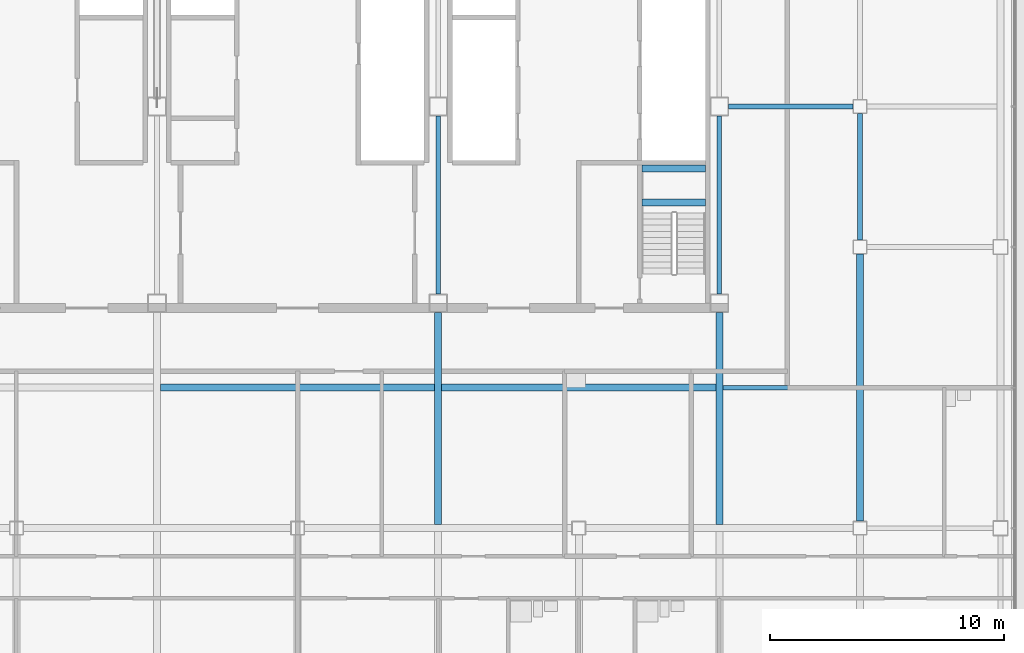
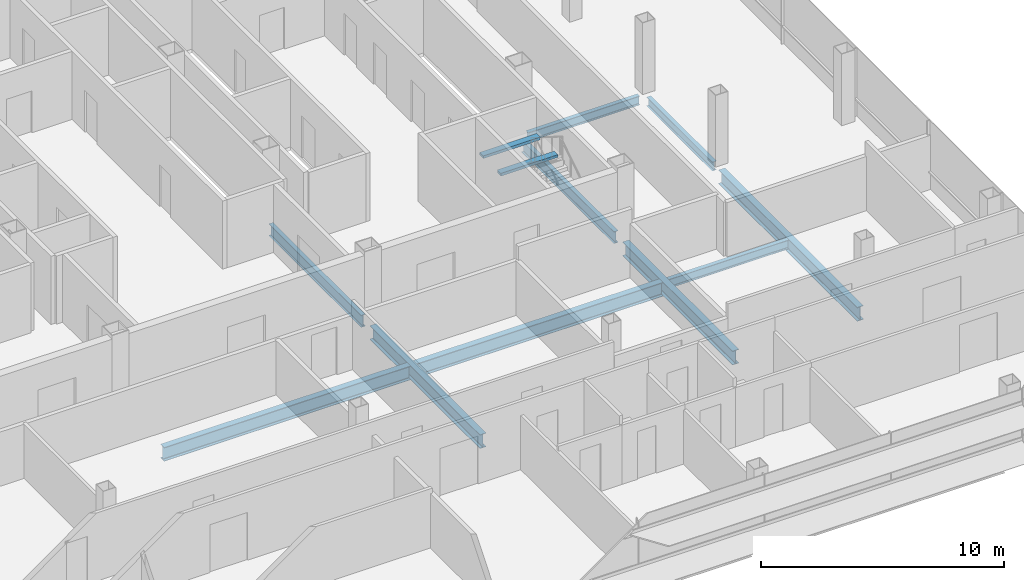
# One storey, part 10 of 27: 12 beams.
"""IFC4 building model written with IfcOpenShell, lengths in metres."""

import ifcopenshell
import ifcopenshell.guid

model = None  # the IFC model being written
_history = None  # IfcOwnerHistory: only IFC2X3 demands one
_inside = {}  # id of a spatial element -> (the spatial element, [elements in it])
_under = {}  # id of a project, library or spatial element -> (it, [spatial elements below it])
_declared = {}  # id of a project -> (the project, [libraries it declares])
_typed = {}  # id of a type object -> (the type object, [elements of that type])
_made_of = {}  # id of a material, layer set ... -> (it, [elements and type objects made of it])


def new_model(schema):
    """Start an empty IFC model of exactly this schema.

    Asked for "IFC4X3", IfcOpenShell would pick the latest addendum, in which some entities
    have other attributes; the version numbers below select the first issue.
    IFC2X3 requires an IfcOwnerHistory on every rooted entity: one is made here for all.
    """
    global model, _history
    if schema == "IFC4X3":
        model = ifcopenshell.file(schema_version=(4, 3, 0, 0))
    else:
        model = ifcopenshell.file(schema=schema)
    _inside.clear()
    _under.clear()
    _declared.clear()
    _typed.clear()
    _made_of.clear()
    _history = None
    if model.schema == "IFC2X3":
        org = make("IfcOrganization", Name="unknown")
        user = make(
            "IfcPersonAndOrganization",
            ThePerson=make("IfcPerson", FamilyName="unknown"),
            TheOrganization=org,
        )
        app = make(
            "IfcApplication",
            ApplicationDeveloper=org,
            Version="unknown",
            ApplicationFullName="unknown",
            ApplicationIdentifier="unknown",
        )
        _history = make(
            "IfcOwnerHistory",
            OwningUser=user,
            OwningApplication=app,
            ChangeAction="ADDED",
            CreationDate=0,
        )
    return model


def make(cls, **values):
    """One entity of the class cls with the attributes given. An attribute that is None is left unset."""
    return model.create_entity(
        cls, **{name: value for name, value in values.items() if value is not None}
    )


def rooted(cls, **values):
    """An entity with a GlobalId (a new one), such as an element, a storey or a relation."""
    return make(cls, GlobalId=ifcopenshell.guid.new(), OwnerHistory=_history, **values)


def si_unit(unit_type, name, prefix=None):
    """IfcSIUnit, for example si_unit("LENGTHUNIT", "METRE", prefix="MILLI")."""
    return make("IfcSIUnit", UnitType=unit_type, Prefix=prefix, Name=name)


def assignment(units):
    """IfcUnitAssignment: the units of a project."""
    return None if units is None else make("IfcUnitAssignment", Units=units)


def point(xyz):
    """IfcCartesianPoint."""
    return None if xyz is None else make("IfcCartesianPoint", Coordinates=xyz)


def direction(xyz):
    """IfcDirection."""
    return None if xyz is None else make("IfcDirection", DirectionRatios=xyz)


def frame(location, z_axis=None, x_axis=None):
    """IfcAxis2Placement3D, a coordinate frame: its origin and axes. An axis left out is left unset."""
    return make(
        "IfcAxis2Placement3D",
        Location=point(location),
        Axis=direction(z_axis),
        RefDirection=direction(x_axis),
    )


def frame_2d(location, x_axis=None):
    """IfcAxis2Placement2D, a coordinate frame in the plane: its origin and x axis."""
    return make(
        "IfcAxis2Placement2D", Location=point(location), RefDirection=direction(x_axis)
    )


def origin():
    """The frame at (0, 0, 0) with its axes left unset."""
    return frame((0.0, 0.0, 0.0))


def origin_2d():
    """The frame at (0, 0) in the plane with its x axis left unset."""
    return frame_2d((0.0, 0.0))


def place(relative_to, where):
    """IfcLocalPlacement: puts the frame where relative to a parent placement (None: the world)."""
    return make(
        "IfcLocalPlacement", PlacementRelTo=relative_to, RelativePlacement=where
    )


def context(
    kind, dimensions, precision=None, world=None, true_north=None, identifier=None
):
    """IfcGeometricRepresentationContext, for example the 3D "Model" context."""
    return make(
        "IfcGeometricRepresentationContext",
        ContextIdentifier=identifier,
        ContextType=kind,
        CoordinateSpaceDimension=dimensions,
        Precision=precision,
        WorldCoordinateSystem=world,
        TrueNorth=true_north,
    )


def subcontext(parent, identifier, kind, view, scale=None):
    """IfcGeometricRepresentationSubContext, for example "Body" below "Model"."""
    return make(
        "IfcGeometricRepresentationSubContext",
        ContextIdentifier=identifier,
        ContextType=kind,
        ParentContext=parent,
        TargetScale=scale,
        TargetView=view,
    )


def project(units=None, contexts=None):
    """IfcProject with its units and contexts."""
    return rooted(
        "IfcProject",
        Name="project",
        RepresentationContexts=contexts,
        UnitsInContext=assignment(units),
    )


def spatial(cls, under=None, at=None, **own):
    """A site, building, storey or space (cls), placed at a placement, below another one or the project."""
    s = rooted(cls, ObjectPlacement=at, **own)
    if under is not None:
        _under.setdefault(under.id(), (under, []))[1].append(s)
    return s


def profile(cls, at=None, kind="AREA", **sizes):
    """A parametric profile (cls). Its sizes go by their IFC names, for example OverallWidth=200.0."""
    return make(cls, ProfileType=kind, Position=at, **sizes)


def rectangle(**sizes):
    """IfcRectangleProfileDef."""
    return profile("IfcRectangleProfileDef", **sizes)


def i_section(**sizes):
    """IfcIShapeProfileDef."""
    return profile("IfcIShapeProfileDef", **sizes)


def extrude(swept, where, along, depth):
    """IfcExtrudedAreaSolid: the profile swept, set in the frame where, extruded along a direction by depth."""
    return make(
        "IfcExtrudedAreaSolid",
        SweptArea=swept,
        Position=where,
        ExtrudedDirection=direction(along),
        Depth=depth,
    )


def shape(context_of_items, identifier, shape_type, items):
    """IfcShapeRepresentation: the items that make up one representation, for example the "Body"."""
    return make(
        "IfcShapeRepresentation",
        ContextOfItems=context_of_items,
        RepresentationIdentifier=identifier,
        RepresentationType=shape_type,
        Items=items,
    )


def material(Name=None, Category=None):
    """IfcMaterial."""
    return make("IfcMaterial", Name=Name, Category=Category)


def material_profile(
    of_material, cross_section, Name=None, Category=None, Priority=None
):
    """IfcMaterialProfile: a cross section and its material."""
    return make(
        "IfcMaterialProfile",
        Name=Name,
        Material=of_material,
        Profile=cross_section,
        Priority=Priority,
        Category=Category,
    )


def profile_set(profiles, Name=None, composite=None):
    """IfcMaterialProfileSet."""
    return make(
        "IfcMaterialProfileSet",
        Name=Name,
        MaterialProfiles=profiles,
        CompositeProfile=composite,
    )


def made_of(thing, what):
    """Note that an element or type object is made of a material, layer set ...; save() writes the relation."""
    if what is not None:
        _made_of.setdefault(what.id(), (what, []))[1].append(thing)
    return thing


def type_object(cls, material=None, **own):
    """A type object (cls), such as IfcWallType, which elements share."""
    return made_of(rooted(cls, **own), material)


def element(
    cls,
    number,
    at=None,
    inside=None,
    cuts=None,
    type_object=None,
    material=None,
    context=None,
    identifier="Body",
    shape_type=None,
    held_by="IfcProductDefinitionShape",
    body=None,
    shapes=None,
    **own,
):
    """One element of the class cls, such as IfcWall. Its Tag is "e" and its number.

    at: its placement. inside: the storey or other place that contains it. cuts: it is an
    opening in that element (IfcRelVoidsElement). A single representation is given by context,
    identifier, shape_type and body (its items); several are given by shapes. held_by: the class
    of the entity that holds the representations. save() writes the other relations.
    """
    e = rooted(cls, Tag="e%d" % number, ObjectPlacement=at, **own)
    if body is not None:
        shapes = [shape(context, identifier, shape_type, body)]
    if shapes is not None:
        e.Representation = make(held_by, Representations=shapes)
    if inside is not None:
        _inside.setdefault(inside.id(), (inside, []))[1].append(e)
    if cuts is not None:
        rooted(
            "IfcRelVoidsElement", RelatingBuildingElement=cuts, RelatedOpeningElement=e
        )
    if type_object is not None:
        _typed.setdefault(type_object.id(), (type_object, []))[1].append(e)
    return made_of(e, material)


def aggregate(whole, parts):
    """IfcRelAggregates: a whole, such as a stair, and the parts it consists of."""
    return rooted("IfcRelAggregates", RelatingObject=whole, RelatedObjects=parts)


def save(model, path):
    """Write the relations noted so far, then the file.

    IfcRelAggregates (storeys below a building ...), IfcRelContainedInSpatialStructure (elements
    in a storey), IfcRelDefinesByType, IfcRelAssociatesMaterial and IfcRelDeclares: one each for
    every whole, place, type object, material and project.
    """
    for whole, parts in _under.values():
        aggregate(whole, parts)
    for where, things in _inside.values():
        rooted(
            "IfcRelContainedInSpatialStructure",
            RelatedElements=things,
            RelatingStructure=where,
        )
    for kind, things in _typed.values():
        rooted("IfcRelDefinesByType", RelatedObjects=things, RelatingType=kind)
    for what, things in _made_of.values():
        rooted("IfcRelAssociatesMaterial", RelatedObjects=things, RelatingMaterial=what)
    for by, libraries in _declared.values():
        rooted("IfcRelDeclares", RelatingContext=by, RelatedDefinitions=libraries)
    model.write(path)


model = new_model("IFC4")

# Units and contexts
model_context = context("Model", 3, precision=1e-05, world=origin(), true_north=direction((0.0, 1.0)))
body_context = subcontext(model_context, "Body", "Model", "MODEL_VIEW")
ifc_project = project(units=[si_unit("LENGTHUNIT", "METRE"), si_unit("AREAUNIT", "SQUARE_METRE"), si_unit("VOLUMEUNIT", "CUBIC_METRE"), si_unit("PLANEANGLEUNIT", "RADIAN"), si_unit("MASSUNIT", "GRAM", prefix="KILO")], contexts=[model_context])

# Site, building, storey
site_placement = place(None, origin())
site = spatial("IfcSite", under=ifc_project, at=site_placement, CompositionType="ELEMENT")
building_placement = place(site_placement, origin())
building = spatial("IfcBuilding", under=site, at=building_placement, Name="Sorahane Residences", CompositionType="ELEMENT")
storey_placement = place(building_placement, frame((0.0, 0.0, 239.60009765625)))
storey = spatial("IfcBuildingStorey", under=building, at=storey_placement, Name="L56", CompositionType="ELEMENT", Elevation=239.60009765625)

# Beams
ifc_material_1 = material(Name="Concrete C40", Category="concrete")
ifc_material_profile_1 = material_profile(ifc_material_1, rectangle(XDim=0.300048828125, YDim=0.139892578125, at=origin_2d()), Name="300x140")
ifc_profile_set_1 = profile_set([ifc_material_profile_1], Name="Concrete C40")
beam_type_1 = type_object("IfcBeamType", Name="RC landing beam 300 x 140 Concrete C40", PredefinedType="BEAM", material=ifc_profile_set_1)
for number, where, z_axis, x_axis, name in (
    (1, (38.699951171875, 25.89990234375, 1.52978515625), (1.0, 0.0, 0.0), (0.0, 1.0, 0.0), "Landing beam"),
    (2, (38.699951171875, 27.35009765625, 1.52978515625), (1.0, 0.0, 0.0), (0.0, 1.0, 0.0), "Landing beam"),
):
    element("IfcBeam", number, at=place(storey_placement, frame(where, z_axis=z_axis, x_axis=x_axis)), inside=storey, type_object=beam_type_1, Name=name, PredefinedType="BEAM", context=body_context, shape_type="SweptSolid", body=[
        extrude(rectangle(XDim=0.300048828125, YDim=0.139892578125, at=origin_2d()), origin(), (0.0, 0.0, 1.0), 2.699951171875),
    ])
ifc_material_2 = material(Name="Steel Q355B", Category="steel")
ifc_material_profile_2 = material_profile(ifc_material_2, i_section(OverallWidth=0.199951171875, OverallDepth=0.449951171875, WebThickness=0.009033203125, FlangeThickness=0.013916015625, FilletRadius=0.02001953125, at=origin_2d()), Name="HN 450x200x9x14")
ifc_profile_set_2 = profile_set([ifc_material_profile_2], Name="Steel Q355B")
beam_type_2 = type_object("IfcBeamType", Name="Steel floor beam HN 450x200x9x14 Q355B", PredefinedType="BEAM", material=ifc_profile_set_2)
beam_1_placement = place(storey_placement, frame((48.0, 24.300048828125, -0.405029296875), z_axis=(0.0, 1.0, 0.0), x_axis=(-1.0, 0.0, 0.0)))
element("IfcBeam", 3, at=beam_1_placement, inside=storey, type_object=beam_type_2, Name="Beam L56 060", PredefinedType="BEAM", context=body_context, shape_type="SweptSolid", body=[
    extrude(i_section(OverallWidth=0.199951171875, OverallDepth=0.449951171875, WebThickness=0.009033203125, FlangeThickness=0.013916015625, FilletRadius=0.02001953125, at=origin_2d()), origin(), (0.0, 0.0, 1.0), 5.39990234375),
])
beam_2_placement = place(storey_placement, frame((42.14990234375, 18.0, -0.405029296875), z_axis=(1.0, 0.0, 0.0), x_axis=(0.0, 1.0, 0.0)))
element("IfcBeam", 4, at=beam_2_placement, inside=storey, type_object=beam_type_2, Name="Beam L56 083", PredefinedType="BEAM", context=body_context, shape_type="SweptSolid", body=[
    extrude(i_section(OverallWidth=0.199951171875, OverallDepth=0.449951171875, WebThickness=0.009033203125, FlangeThickness=0.013916015625, FilletRadius=0.02001953125, at=origin_2d()), origin(), (0.0, 0.0, 1.0), 5.7001953125),
])
beam_3_placement = place(storey_placement, frame((42.39990234375, 30.0, -0.405029296875), z_axis=(1.0, 0.0, 0.0), x_axis=(0.0, 1.0, 0.0)))
element("IfcBeam", 5, at=beam_3_placement, inside=storey, type_object=beam_type_2, Name="Beam L56 087", PredefinedType="BEAM", context=body_context, shape_type="SweptSolid", body=[
    extrude(i_section(OverallWidth=0.199951171875, OverallDepth=0.449951171875, WebThickness=0.009033203125, FlangeThickness=0.013916015625, FilletRadius=0.02001953125, at=origin_2d()), origin(), (0.0, 0.0, 1.0), 5.300048828125),
])
ifc_material_3 = material(Name="Steel Q355B", Category="steel")
ifc_material_profile_3 = material_profile(ifc_material_3, i_section(OverallWidth=0.199951171875, OverallDepth=0.60009765625, WebThickness=0.010986328125, FlangeThickness=0.01708984375, FilletRadius=0.02392578125, at=origin_2d()), Name="HN 600x200x11x17")
ifc_profile_set_3 = profile_set([ifc_material_profile_3], Name="Steel Q355B")
beam_type_3 = type_object("IfcBeamType", Name="Steel floor beam HN 600x200x11x17 Q355B", PredefinedType="BEAM", material=ifc_profile_set_3)
for number, where, z_axis, x_axis, name in (
    (6, (30.0, 22.0, -0.47998046875), (0.0, 1.0, 0.0), (-1.0, 0.0, 0.0), "Beam L56 046"),
    (7, (42.0, 22.0, -0.47998046875), (0.0, 1.0, 0.0), (-1.0, 0.0, 0.0), "Beam L56 054"),
):
    element("IfcBeam", number, at=place(storey_placement, frame(where, z_axis=z_axis, x_axis=x_axis)), inside=storey, type_object=beam_type_3, Name=name, PredefinedType="BEAM", context=body_context, shape_type="SweptSolid", body=[
        extrude(i_section(OverallWidth=0.199951171875, OverallDepth=0.60009765625, WebThickness=0.010986328125, FlangeThickness=0.01708984375, FilletRadius=0.02392578125, at=origin_2d()), origin(), (0.0, 0.0, 1.0), 7.60009765625),
    ])
ifc_material_4 = material(Name="Steel Q355B", Category="steel")
ifc_material_profile_4 = material_profile(ifc_material_4, i_section(OverallWidth=0.300048828125, OverallDepth=0.699951171875, WebThickness=0.012939453125, FlangeThickness=0.02392578125, FilletRadius=0.028076171875, at=origin_2d()), Name="HN 700x300x13x24")
ifc_profile_set_4 = profile_set([ifc_material_profile_4], Name="Steel Q355B")
beam_type_4 = type_object("IfcBeamType", Name="Steel floor beam HN 700x300x13x24 Q355B", PredefinedType="BEAM", material=ifc_profile_set_4)
for number, where, z_axis, x_axis, name in (
    (8, (30.0, 12.14990234375, -0.530029296875), (0.0, 1.0, 0.0), (-1.0, 0.0, 0.0), "Beam L56 045"),
    (9, (42.0, 12.14990234375, -0.530029296875), (0.0, 1.0, 0.0), (-1.0, 0.0, 0.0), "Beam L56 053"),
):
    element("IfcBeam", number, at=place(storey_placement, frame(where, z_axis=z_axis, x_axis=x_axis)), inside=storey, type_object=beam_type_4, Name=name, PredefinedType="BEAM", context=body_context, shape_type="SweptSolid", body=[
        extrude(i_section(OverallWidth=0.300048828125, OverallDepth=0.699951171875, WebThickness=0.012939453125, FlangeThickness=0.02392578125, FilletRadius=0.028076171875, at=origin_2d()), origin(), (0.0, 0.0, 1.0), 9.050048828125),
    ])
beam_4_placement = place(storey_placement, frame((48.0, 12.300048828125, -0.530029296875), z_axis=(0.0, 1.0, 0.0), x_axis=(-1.0, 0.0, 0.0)))
element("IfcBeam", 10, at=beam_4_placement, inside=storey, type_object=beam_type_4, Name="Beam L56 059", PredefinedType="BEAM", context=body_context, shape_type="SweptSolid", body=[
    extrude(i_section(OverallWidth=0.300048828125, OverallDepth=0.699951171875, WebThickness=0.012939453125, FlangeThickness=0.02392578125, FilletRadius=0.028076171875, at=origin_2d()), origin(), (0.0, 0.0, 1.0), 11.39990234375),
])
for number, where, z_axis, x_axis, name in (
    (11, (18.14990234375, 18.0, -0.530029296875), (1.0, 0.0, 0.0), (0.0, 1.0, 0.0), "Beam L56 081"),
    (12, (30.14990234375, 18.0, -0.530029296875), (1.0, 0.0, 0.0), (0.0, 1.0, 0.0), "Beam L56 082"),
):
    element("IfcBeam", number, at=place(storey_placement, frame(where, z_axis=z_axis, x_axis=x_axis)), inside=storey, type_object=beam_type_4, Name=name, PredefinedType="BEAM", context=body_context, shape_type="SweptSolid", body=[
        extrude(i_section(OverallWidth=0.300048828125, OverallDepth=0.699951171875, WebThickness=0.012939453125, FlangeThickness=0.02392578125, FilletRadius=0.028076171875, at=origin_2d()), origin(), (0.0, 0.0, 1.0), 11.7001953125),
    ])

save(model, "model.ifc")
